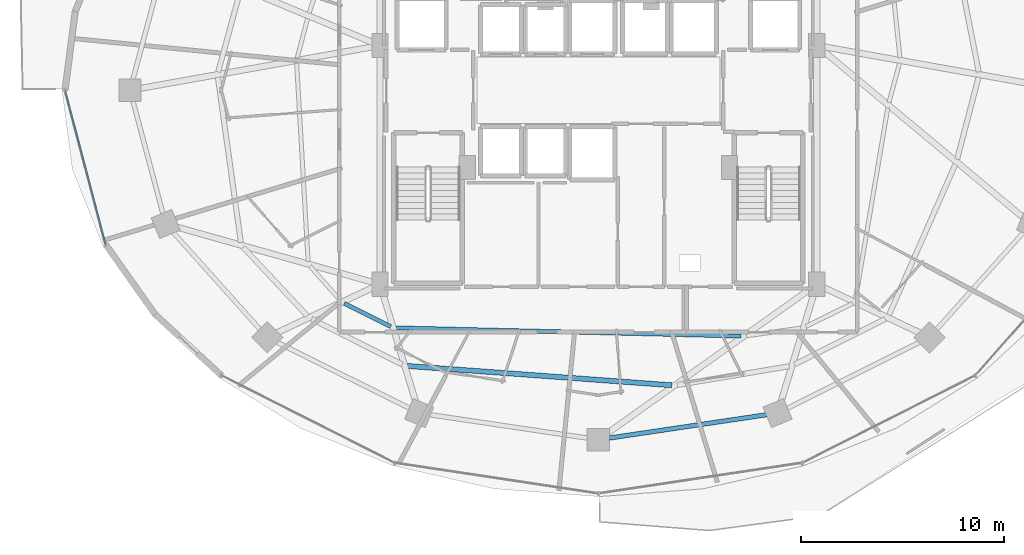
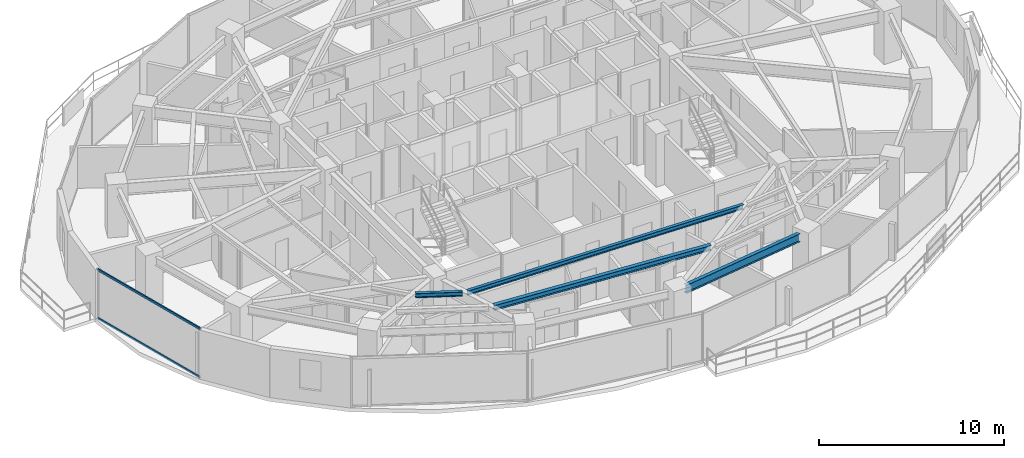
# One storey, part 5 of 29: 4 beams, 2 members, 1 element without a shape of its own.
"""IFC4 building model written with IfcOpenShell, lengths in metres."""

import ifcopenshell
import ifcopenshell.guid

model = None  # the IFC model being written
_history = None  # IfcOwnerHistory: only IFC2X3 demands one
_inside = {}  # id of a spatial element -> (the spatial element, [elements in it])
_under = {}  # id of a project, library or spatial element -> (it, [spatial elements below it])
_declared = {}  # id of a project -> (the project, [libraries it declares])
_typed = {}  # id of a type object -> (the type object, [elements of that type])
_made_of = {}  # id of a material, layer set ... -> (it, [elements and type objects made of it])


def new_model(schema):
    """Start an empty IFC model of exactly this schema.

    Asked for "IFC4X3", IfcOpenShell would pick the latest addendum, in which some entities
    have other attributes; the version numbers below select the first issue.
    IFC2X3 requires an IfcOwnerHistory on every rooted entity: one is made here for all.
    """
    global model, _history
    if schema == "IFC4X3":
        model = ifcopenshell.file(schema_version=(4, 3, 0, 0))
    else:
        model = ifcopenshell.file(schema=schema)
    _inside.clear()
    _under.clear()
    _declared.clear()
    _typed.clear()
    _made_of.clear()
    _history = None
    if model.schema == "IFC2X3":
        org = make("IfcOrganization", Name="unknown")
        user = make(
            "IfcPersonAndOrganization",
            ThePerson=make("IfcPerson", FamilyName="unknown"),
            TheOrganization=org,
        )
        app = make(
            "IfcApplication",
            ApplicationDeveloper=org,
            Version="unknown",
            ApplicationFullName="unknown",
            ApplicationIdentifier="unknown",
        )
        _history = make(
            "IfcOwnerHistory",
            OwningUser=user,
            OwningApplication=app,
            ChangeAction="ADDED",
            CreationDate=0,
        )
    return model


def make(cls, **values):
    """One entity of the class cls with the attributes given. An attribute that is None is left unset."""
    return model.create_entity(
        cls, **{name: value for name, value in values.items() if value is not None}
    )


def rooted(cls, **values):
    """An entity with a GlobalId (a new one), such as an element, a storey or a relation."""
    return make(cls, GlobalId=ifcopenshell.guid.new(), OwnerHistory=_history, **values)


def si_unit(unit_type, name, prefix=None):
    """IfcSIUnit, for example si_unit("LENGTHUNIT", "METRE", prefix="MILLI")."""
    return make("IfcSIUnit", UnitType=unit_type, Prefix=prefix, Name=name)


def assignment(units):
    """IfcUnitAssignment: the units of a project."""
    return None if units is None else make("IfcUnitAssignment", Units=units)


def point(xyz):
    """IfcCartesianPoint."""
    return None if xyz is None else make("IfcCartesianPoint", Coordinates=xyz)


def direction(xyz):
    """IfcDirection."""
    return None if xyz is None else make("IfcDirection", DirectionRatios=xyz)


def frame(location, z_axis=None, x_axis=None):
    """IfcAxis2Placement3D, a coordinate frame: its origin and axes. An axis left out is left unset."""
    return make(
        "IfcAxis2Placement3D",
        Location=point(location),
        Axis=direction(z_axis),
        RefDirection=direction(x_axis),
    )


def frame_2d(location, x_axis=None):
    """IfcAxis2Placement2D, a coordinate frame in the plane: its origin and x axis."""
    return make(
        "IfcAxis2Placement2D", Location=point(location), RefDirection=direction(x_axis)
    )


def origin():
    """The frame at (0, 0, 0) with its axes left unset."""
    return frame((0.0, 0.0, 0.0))


def origin_2d():
    """The frame at (0, 0) in the plane with its x axis left unset."""
    return frame_2d((0.0, 0.0))


def place(relative_to, where):
    """IfcLocalPlacement: puts the frame where relative to a parent placement (None: the world)."""
    return make(
        "IfcLocalPlacement", PlacementRelTo=relative_to, RelativePlacement=where
    )


def context(
    kind, dimensions, precision=None, world=None, true_north=None, identifier=None
):
    """IfcGeometricRepresentationContext, for example the 3D "Model" context."""
    return make(
        "IfcGeometricRepresentationContext",
        ContextIdentifier=identifier,
        ContextType=kind,
        CoordinateSpaceDimension=dimensions,
        Precision=precision,
        WorldCoordinateSystem=world,
        TrueNorth=true_north,
    )


def subcontext(parent, identifier, kind, view, scale=None):
    """IfcGeometricRepresentationSubContext, for example "Body" below "Model"."""
    return make(
        "IfcGeometricRepresentationSubContext",
        ContextIdentifier=identifier,
        ContextType=kind,
        ParentContext=parent,
        TargetScale=scale,
        TargetView=view,
    )


def project(units=None, contexts=None):
    """IfcProject with its units and contexts."""
    return rooted(
        "IfcProject",
        Name="project",
        RepresentationContexts=contexts,
        UnitsInContext=assignment(units),
    )


def spatial(cls, under=None, at=None, **own):
    """A site, building, storey or space (cls), placed at a placement, below another one or the project."""
    s = rooted(cls, ObjectPlacement=at, **own)
    if under is not None:
        _under.setdefault(under.id(), (under, []))[1].append(s)
    return s


def profile(cls, at=None, kind="AREA", **sizes):
    """A parametric profile (cls). Its sizes go by their IFC names, for example OverallWidth=200.0."""
    return make(cls, ProfileType=kind, Position=at, **sizes)


def hollow_rectangle(**sizes):
    """IfcRectangleHollowProfileDef."""
    return profile("IfcRectangleHollowProfileDef", **sizes)


def i_section(**sizes):
    """IfcIShapeProfileDef."""
    return profile("IfcIShapeProfileDef", **sizes)


def extrude(swept, where, along, depth):
    """IfcExtrudedAreaSolid: the profile swept, set in the frame where, extruded along a direction by depth."""
    return make(
        "IfcExtrudedAreaSolid",
        SweptArea=swept,
        Position=where,
        ExtrudedDirection=direction(along),
        Depth=depth,
    )


def shape(context_of_items, identifier, shape_type, items):
    """IfcShapeRepresentation: the items that make up one representation, for example the "Body"."""
    return make(
        "IfcShapeRepresentation",
        ContextOfItems=context_of_items,
        RepresentationIdentifier=identifier,
        RepresentationType=shape_type,
        Items=items,
    )


def material(Name=None, Category=None):
    """IfcMaterial."""
    return make("IfcMaterial", Name=Name, Category=Category)


def material_profile(
    of_material, cross_section, Name=None, Category=None, Priority=None
):
    """IfcMaterialProfile: a cross section and its material."""
    return make(
        "IfcMaterialProfile",
        Name=Name,
        Material=of_material,
        Profile=cross_section,
        Priority=Priority,
        Category=Category,
    )


def profile_set(profiles, Name=None, composite=None):
    """IfcMaterialProfileSet."""
    return make(
        "IfcMaterialProfileSet",
        Name=Name,
        MaterialProfiles=profiles,
        CompositeProfile=composite,
    )


def made_of(thing, what):
    """Note that an element or type object is made of a material, layer set ...; save() writes the relation."""
    if what is not None:
        _made_of.setdefault(what.id(), (what, []))[1].append(thing)
    return thing


def type_object(cls, material=None, **own):
    """A type object (cls), such as IfcWallType, which elements share."""
    return made_of(rooted(cls, **own), material)


def element(
    cls,
    number,
    at=None,
    inside=None,
    cuts=None,
    type_object=None,
    material=None,
    context=None,
    identifier="Body",
    shape_type=None,
    held_by="IfcProductDefinitionShape",
    body=None,
    shapes=None,
    **own,
):
    """One element of the class cls, such as IfcWall. Its Tag is "e" and its number.

    at: its placement. inside: the storey or other place that contains it. cuts: it is an
    opening in that element (IfcRelVoidsElement). A single representation is given by context,
    identifier, shape_type and body (its items); several are given by shapes. held_by: the class
    of the entity that holds the representations. save() writes the other relations.
    """
    e = rooted(cls, Tag="e%d" % number, ObjectPlacement=at, **own)
    if body is not None:
        shapes = [shape(context, identifier, shape_type, body)]
    if shapes is not None:
        e.Representation = make(held_by, Representations=shapes)
    if inside is not None:
        _inside.setdefault(inside.id(), (inside, []))[1].append(e)
    if cuts is not None:
        rooted(
            "IfcRelVoidsElement", RelatingBuildingElement=cuts, RelatedOpeningElement=e
        )
    if type_object is not None:
        _typed.setdefault(type_object.id(), (type_object, []))[1].append(e)
    return made_of(e, material)


def aggregate(whole, parts):
    """IfcRelAggregates: a whole, such as a stair, and the parts it consists of."""
    return rooted("IfcRelAggregates", RelatingObject=whole, RelatedObjects=parts)


def save(model, path):
    """Write the relations noted so far, then the file.

    IfcRelAggregates (storeys below a building ...), IfcRelContainedInSpatialStructure (elements
    in a storey), IfcRelDefinesByType, IfcRelAssociatesMaterial and IfcRelDeclares: one each for
    every whole, place, type object, material and project.
    """
    for whole, parts in _under.values():
        aggregate(whole, parts)
    for where, things in _inside.values():
        rooted(
            "IfcRelContainedInSpatialStructure",
            RelatedElements=things,
            RelatingStructure=where,
        )
    for kind, things in _typed.values():
        rooted("IfcRelDefinesByType", RelatedObjects=things, RelatingType=kind)
    for what, things in _made_of.values():
        rooted("IfcRelAssociatesMaterial", RelatedObjects=things, RelatingMaterial=what)
    for by, libraries in _declared.values():
        rooted("IfcRelDeclares", RelatingContext=by, RelatedDefinitions=libraries)
    model.write(path)


model = new_model("IFC4")

# Units and contexts
model_context = context("Model", 3, precision=1e-05, world=origin(), true_north=direction((0.0, 1.0)))
body_context = subcontext(model_context, "Body", "Model", "MODEL_VIEW")
ifc_project = project(units=[si_unit("LENGTHUNIT", "METRE"), si_unit("AREAUNIT", "SQUARE_METRE"), si_unit("VOLUMEUNIT", "CUBIC_METRE"), si_unit("PLANEANGLEUNIT", "RADIAN"), si_unit("MASSUNIT", "GRAM", prefix="KILO")], contexts=[model_context])

# Site, building, storey
site_placement = place(None, origin())
site = spatial("IfcSite", under=ifc_project, at=site_placement, CompositionType="ELEMENT")
building_placement = place(site_placement, origin())
building = spatial("IfcBuilding", under=site, at=building_placement, Name="Vorneva Point Tower", CompositionType="ELEMENT")
storey_placement = place(building_placement, frame((0.0, 0.0, 113.800048828125)))
storey = spatial("IfcBuildingStorey", under=building, at=storey_placement, Name="L30", CompositionType="ELEMENT", Elevation=113.800048828125)

# Beams
ifc_material_1 = material(Name="Steel S355", Category="steel")
ifc_material_profile_1 = material_profile(ifc_material_1, i_section(OverallWidth=0.199951171875, OverallDepth=0.291015625, WebThickness=0.008056640625, FlangeThickness=0.010986328125, at=origin_2d()), Name="30Sh1")
ifc_profile_set_1 = profile_set([ifc_material_profile_1], Name="Steel S355")
beam_type_1 = type_object("IfcBeamType", Name="BM-SEC-30Sh1", PredefinedType="BEAM", material=ifc_profile_set_1)
beam_1_placement = place(storey_placement, frame((25.4970703125, 15.505126953125, 3.094482421875), z_axis=(0.895364579083, -0.445333886566, 0.0), x_axis=(0.445333886566, 0.895364579083, 0.0)))
element("IfcBeam", 1, at=beam_1_placement, inside=storey, type_object=beam_type_1, Name="L30 Secondary Floor Beam 2.11", PredefinedType="BEAM", context=body_context, shape_type="SweptSolid", body=[
    extrude(i_section(OverallWidth=0.199951171875, OverallDepth=0.291015625, WebThickness=0.008056640625, FlangeThickness=0.010986328125, at=origin_2d()), origin(), (0.0, 0.0, 1.0), 2.547119140625),
])
beam_2_placement = place(storey_placement, frame((28.039306640625, 14.30615234375, 3.094482421875), z_axis=(0.999713718742, -0.023926565974, 0.0), x_axis=(0.023926565974, 0.999713718742, 0.0)))
element("IfcBeam", 2, at=beam_2_placement, inside=storey, type_object=beam_type_1, Name="L30 Secondary Floor Beam 2.12", PredefinedType="BEAM", context=body_context, shape_type="SweptSolid", body=[
    extrude(i_section(OverallWidth=0.199951171875, OverallDepth=0.291015625, WebThickness=0.008056640625, FlangeThickness=0.010986328125, at=origin_2d()), origin(), (0.0, 0.0, 1.0), 16.9892578125),
])
ifc_material_profile_2 = material_profile(ifc_material_1, i_section(OverallWidth=0.2490234375, OverallDepth=0.333984375, WebThickness=0.008056640625, FlangeThickness=0.010986328125, at=origin_2d()), Name="35Sh1")
ifc_profile_set_2 = profile_set([ifc_material_profile_2], Name="Steel S355")
beam_type_2 = type_object("IfcBeamType", Name="BM-SEC-35Sh1", PredefinedType="BEAM", material=ifc_profile_set_2)
beam_3_placement = place(storey_placement, frame((28.60791015625, 12.42919921875, 3.072998046875), z_axis=(0.997338408096, -0.072911588494, 0.0), x_axis=(0.072911588494, 0.997338408096, 0.0)))
element("IfcBeam", 3, at=beam_3_placement, inside=storey, type_object=beam_type_2, Name="L30 Secondary Floor Beam 1.12", PredefinedType="BEAM", context=body_context, shape_type="SweptSolid", body=[
    extrude(i_section(OverallWidth=0.2490234375, OverallDepth=0.333984375, WebThickness=0.008056640625, FlangeThickness=0.010986328125, at=origin_2d()), origin(), (0.0, 0.0, 1.0), 13.038818359375),
])
ifc_material_profile_3 = material_profile(ifc_material_1, i_section(OverallWidth=0.219970703125, OverallDepth=0.54296875, WebThickness=0.009521484375, FlangeThickness=0.013427734375, at=origin_2d()), Name="55B1")
ifc_profile_set_3 = profile_set([ifc_material_profile_3], Name="Steel S355")
beam_type_3 = type_object("IfcBeamType", Name="BM-SPN-55B1", PredefinedType="SPANDREL", material=ifc_profile_set_3)
beam_4_placement = place(storey_placement, frame((38.529296875, 8.878662109375, 2.968505859375), z_axis=(0.989164507783, 0.146811363806, 0.0), x_axis=(-0.146811363806, 0.989164507783, 0.0)))
element("IfcBeam", 4, at=beam_4_placement, inside=storey, type_object=beam_type_3, Name="L30 Perimeter Spandrel Ring Beam 13", PredefinedType="SPANDREL", context=body_context, shape_type="SweptSolid", body=[
    extrude(i_section(OverallWidth=0.219970703125, OverallDepth=0.54296875, WebThickness=0.009521484375, FlangeThickness=0.013427734375, at=origin_2d()), origin(), (0.0, 0.0, 1.0), 7.847412109375),
])

# Curtain wall, members
ifc_material_2 = material(Name="Pale anodised aluminium", Category="aluminium")
curtain_wall_type = type_object("IfcCurtainWallType", Name="CW-HTL-SYS", PredefinedType="NOTDEFINED", material=ifc_material_2)
curtain_wall_placement = place(storey_placement, origin())
curtain_wall = element("IfcCurtainWall", 5, at=curtain_wall_placement, inside=storey, type_object=curtain_wall_type, Name="L30 Unitised Curtain Wall CW-L30-R03", PredefinedType="NOTDEFINED")
ifc_material_profile_4 = material_profile(ifc_material_2, hollow_rectangle(XDim=0.074951171875, YDim=0.14990234375, WallThickness=0.00390625, at=origin_2d()), Name="AL-TRN 150x75x4")
ifc_profile_set_4 = profile_set([ifc_material_profile_4], Name="Pale anodised aluminium")
member_type = type_object("IfcMemberType", Name="CW-TRN-150", PredefinedType="USERDEFINED", material=ifc_profile_set_4)
member_1_placement = place(storey_placement, frame((11.75, 26.0, 0.02001953125), z_axis=(0.254409150465, -0.967096677773, 0.0), x_axis=(0.967096677773, 0.254409150465, 0.0)))
member_1 = element("IfcMember", 6, at=member_1_placement, type_object=member_type, Name="CW-L30-R03 Transom 01.1", ObjectType="TRANSOM", PredefinedType="USERDEFINED", context=body_context, shape_type="SweptSolid", body=[
    extrude(hollow_rectangle(XDim=0.074951171875, YDim=0.14990234375, WallThickness=0.00390625, at=origin_2d()), origin(), (0.0, 0.0, 1.0), 7.854736328125),
])
member_2_placement = place(storey_placement, frame((11.75, 26.0, 3.219970703125), z_axis=(0.254409150465, -0.967096677773, 0.0), x_axis=(0.967096677773, 0.254409150465, 0.0)))
member_2 = element("IfcMember", 7, at=member_2_placement, type_object=member_type, Name="CW-L30-R03 Transom 01.2", ObjectType="TRANSOM", PredefinedType="USERDEFINED", context=body_context, shape_type="SweptSolid", body=[
    extrude(hollow_rectangle(XDim=0.074951171875, YDim=0.14990234375, WallThickness=0.00390625, at=origin_2d()), origin(), (0.0, 0.0, 1.0), 7.854736328125),
])
aggregate(curtain_wall, [member_1, member_2])

save(model, "model.ifc")
